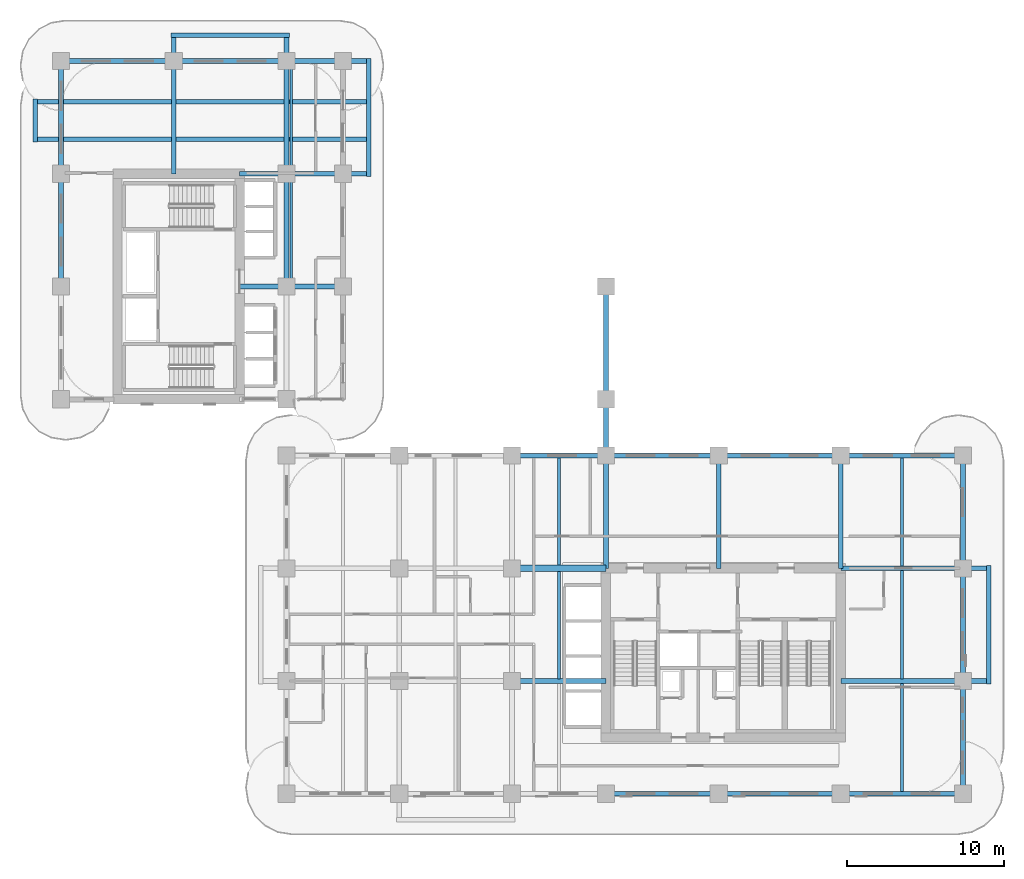
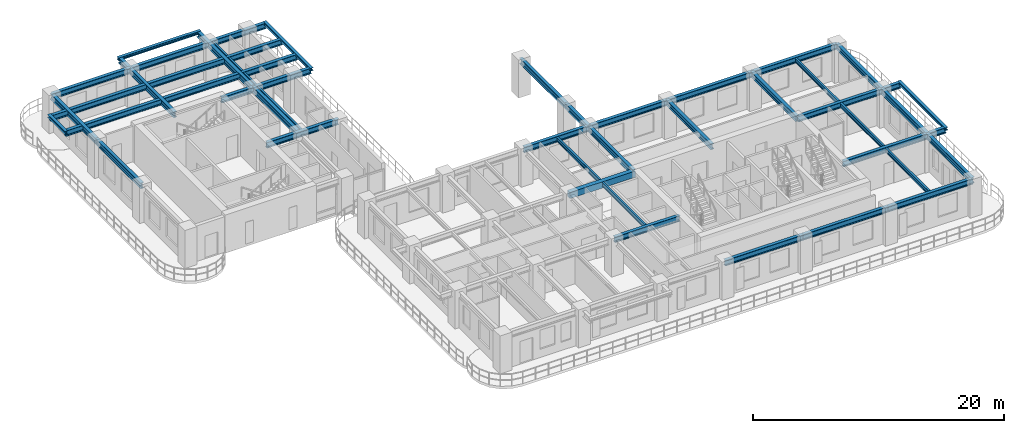
# One storey, part 3 of 19: 41 beams.
"""IFC4 building model written with IfcOpenShell, lengths in metres."""

import ifcopenshell
import ifcopenshell.guid

model = None  # the IFC model being written
_history = None  # IfcOwnerHistory: only IFC2X3 demands one
_inside = {}  # id of a spatial element -> (the spatial element, [elements in it])
_under = {}  # id of a project, library or spatial element -> (it, [spatial elements below it])
_declared = {}  # id of a project -> (the project, [libraries it declares])
_typed = {}  # id of a type object -> (the type object, [elements of that type])
_made_of = {}  # id of a material, layer set ... -> (it, [elements and type objects made of it])


def new_model(schema):
    """Start an empty IFC model of exactly this schema.

    Asked for "IFC4X3", IfcOpenShell would pick the latest addendum, in which some entities
    have other attributes; the version numbers below select the first issue.
    IFC2X3 requires an IfcOwnerHistory on every rooted entity: one is made here for all.
    """
    global model, _history
    if schema == "IFC4X3":
        model = ifcopenshell.file(schema_version=(4, 3, 0, 0))
    else:
        model = ifcopenshell.file(schema=schema)
    _inside.clear()
    _under.clear()
    _declared.clear()
    _typed.clear()
    _made_of.clear()
    _history = None
    if model.schema == "IFC2X3":
        org = make("IfcOrganization", Name="unknown")
        user = make(
            "IfcPersonAndOrganization",
            ThePerson=make("IfcPerson", FamilyName="unknown"),
            TheOrganization=org,
        )
        app = make(
            "IfcApplication",
            ApplicationDeveloper=org,
            Version="unknown",
            ApplicationFullName="unknown",
            ApplicationIdentifier="unknown",
        )
        _history = make(
            "IfcOwnerHistory",
            OwningUser=user,
            OwningApplication=app,
            ChangeAction="ADDED",
            CreationDate=0,
        )
    return model


def make(cls, **values):
    """One entity of the class cls with the attributes given. An attribute that is None is left unset."""
    return model.create_entity(
        cls, **{name: value for name, value in values.items() if value is not None}
    )


def rooted(cls, **values):
    """An entity with a GlobalId (a new one), such as an element, a storey or a relation."""
    return make(cls, GlobalId=ifcopenshell.guid.new(), OwnerHistory=_history, **values)


def si_unit(unit_type, name, prefix=None):
    """IfcSIUnit, for example si_unit("LENGTHUNIT", "METRE", prefix="MILLI")."""
    return make("IfcSIUnit", UnitType=unit_type, Prefix=prefix, Name=name)


def derived_unit(unit_type, elements):
    """IfcDerivedUnit: a product of units, each with its exponent."""
    return make(
        "IfcDerivedUnit",
        Elements=[
            make("IfcDerivedUnitElement", Unit=unit, Exponent=power)
            for unit, power in elements
        ],
        UnitType=unit_type,
    )


def assignment(units):
    """IfcUnitAssignment: the units of a project."""
    return None if units is None else make("IfcUnitAssignment", Units=units)


def point(xyz):
    """IfcCartesianPoint."""
    return None if xyz is None else make("IfcCartesianPoint", Coordinates=xyz)


def direction(xyz):
    """IfcDirection."""
    return None if xyz is None else make("IfcDirection", DirectionRatios=xyz)


def frame(location, z_axis=None, x_axis=None):
    """IfcAxis2Placement3D, a coordinate frame: its origin and axes. An axis left out is left unset."""
    return make(
        "IfcAxis2Placement3D",
        Location=point(location),
        Axis=direction(z_axis),
        RefDirection=direction(x_axis),
    )


def frame_2d(location, x_axis=None):
    """IfcAxis2Placement2D, a coordinate frame in the plane: its origin and x axis."""
    return make(
        "IfcAxis2Placement2D", Location=point(location), RefDirection=direction(x_axis)
    )


def origin():
    """The frame at (0, 0, 0) with its axes left unset."""
    return frame((0.0, 0.0, 0.0))


def origin_2d():
    """The frame at (0, 0) in the plane with its x axis left unset."""
    return frame_2d((0.0, 0.0))


def place(relative_to, where):
    """IfcLocalPlacement: puts the frame where relative to a parent placement (None: the world)."""
    return make(
        "IfcLocalPlacement", PlacementRelTo=relative_to, RelativePlacement=where
    )


def context(
    kind, dimensions, precision=None, world=None, true_north=None, identifier=None
):
    """IfcGeometricRepresentationContext, for example the 3D "Model" context."""
    return make(
        "IfcGeometricRepresentationContext",
        ContextIdentifier=identifier,
        ContextType=kind,
        CoordinateSpaceDimension=dimensions,
        Precision=precision,
        WorldCoordinateSystem=world,
        TrueNorth=true_north,
    )


def subcontext(parent, identifier, kind, view, scale=None):
    """IfcGeometricRepresentationSubContext, for example "Body" below "Model"."""
    return make(
        "IfcGeometricRepresentationSubContext",
        ContextIdentifier=identifier,
        ContextType=kind,
        ParentContext=parent,
        TargetScale=scale,
        TargetView=view,
    )


def project(units=None, contexts=None):
    """IfcProject with its units and contexts."""
    return rooted(
        "IfcProject",
        Name="project",
        RepresentationContexts=contexts,
        UnitsInContext=assignment(units),
    )


def spatial(cls, under=None, at=None, **own):
    """A site, building, storey or space (cls), placed at a placement, below another one or the project."""
    s = rooted(cls, ObjectPlacement=at, **own)
    if under is not None:
        _under.setdefault(under.id(), (under, []))[1].append(s)
    return s


def profile(cls, at=None, kind="AREA", **sizes):
    """A parametric profile (cls). Its sizes go by their IFC names, for example OverallWidth=200.0."""
    return make(cls, ProfileType=kind, Position=at, **sizes)


def rectangle(**sizes):
    """IfcRectangleProfileDef."""
    return profile("IfcRectangleProfileDef", **sizes)


def i_section(**sizes):
    """IfcIShapeProfileDef."""
    return profile("IfcIShapeProfileDef", **sizes)


def extrude(swept, where, along, depth):
    """IfcExtrudedAreaSolid: the profile swept, set in the frame where, extruded along a direction by depth."""
    return make(
        "IfcExtrudedAreaSolid",
        SweptArea=swept,
        Position=where,
        ExtrudedDirection=direction(along),
        Depth=depth,
    )


def shape(context_of_items, identifier, shape_type, items):
    """IfcShapeRepresentation: the items that make up one representation, for example the "Body"."""
    return make(
        "IfcShapeRepresentation",
        ContextOfItems=context_of_items,
        RepresentationIdentifier=identifier,
        RepresentationType=shape_type,
        Items=items,
    )


def source(mapping_origin, context_of_items, identifier, shape_type, items):
    """IfcRepresentationMap: a shape defined once, which mapped items show again and again."""
    return make(
        "IfcRepresentationMap",
        MappingOrigin=mapping_origin,
        MappedRepresentation=shape(context_of_items, identifier, shape_type, items),
    )


def transform(
    local_origin,
    x_axis=None,
    y_axis=None,
    z_axis=None,
    scale=None,
    scale2=None,
    scale3=None,
    uniform=True,
):
    """IfcCartesianTransformationOperator3D, or its non-uniform kind. x_axis, y_axis, z_axis: its Axis1, 2, 3."""
    if uniform:
        return make(
            "IfcCartesianTransformationOperator3D",
            Axis1=direction(x_axis),
            Axis2=direction(y_axis),
            LocalOrigin=point(local_origin),
            Scale=scale,
            Axis3=direction(z_axis),
        )
    return make(
        "IfcCartesianTransformationOperator3DnonUniform",
        Axis1=direction(x_axis),
        Axis2=direction(y_axis),
        LocalOrigin=point(local_origin),
        Scale=scale,
        Axis3=direction(z_axis),
        Scale2=scale2,
        Scale3=scale3,
    )


def mapped(mapping_source, mapping_target):
    """IfcMappedItem: shows the shape of a source again, moved by a transform."""
    return make(
        "IfcMappedItem", MappingSource=mapping_source, MappingTarget=mapping_target
    )


def material(Name=None, Category=None):
    """IfcMaterial."""
    return make("IfcMaterial", Name=Name, Category=Category)


def material_profile(
    of_material, cross_section, Name=None, Category=None, Priority=None
):
    """IfcMaterialProfile: a cross section and its material."""
    return make(
        "IfcMaterialProfile",
        Name=Name,
        Material=of_material,
        Profile=cross_section,
        Priority=Priority,
        Category=Category,
    )


def profile_set(profiles, Name=None, composite=None):
    """IfcMaterialProfileSet."""
    return make(
        "IfcMaterialProfileSet",
        Name=Name,
        MaterialProfiles=profiles,
        CompositeProfile=composite,
    )


def made_of(thing, what):
    """Note that an element or type object is made of a material, layer set ...; save() writes the relation."""
    if what is not None:
        _made_of.setdefault(what.id(), (what, []))[1].append(thing)
    return thing


def type_object(cls, material=None, **own):
    """A type object (cls), such as IfcWallType, which elements share."""
    return made_of(rooted(cls, **own), material)


def type_shapes(of_type, sources):
    """Give a type object the sources (RepresentationMaps) that its elements show as mapped items."""
    of_type.RepresentationMaps = sources


def element(
    cls,
    number,
    at=None,
    inside=None,
    cuts=None,
    type_object=None,
    material=None,
    context=None,
    identifier="Body",
    shape_type=None,
    held_by="IfcProductDefinitionShape",
    body=None,
    shapes=None,
    **own,
):
    """One element of the class cls, such as IfcWall. Its Tag is "e" and its number.

    at: its placement. inside: the storey or other place that contains it. cuts: it is an
    opening in that element (IfcRelVoidsElement). A single representation is given by context,
    identifier, shape_type and body (its items); several are given by shapes. held_by: the class
    of the entity that holds the representations. save() writes the other relations.
    """
    e = rooted(cls, Tag="e%d" % number, ObjectPlacement=at, **own)
    if body is not None:
        shapes = [shape(context, identifier, shape_type, body)]
    if shapes is not None:
        e.Representation = make(held_by, Representations=shapes)
    if inside is not None:
        _inside.setdefault(inside.id(), (inside, []))[1].append(e)
    if cuts is not None:
        rooted(
            "IfcRelVoidsElement", RelatingBuildingElement=cuts, RelatedOpeningElement=e
        )
    if type_object is not None:
        _typed.setdefault(type_object.id(), (type_object, []))[1].append(e)
    return made_of(e, material)


def aggregate(whole, parts):
    """IfcRelAggregates: a whole, such as a stair, and the parts it consists of."""
    return rooted("IfcRelAggregates", RelatingObject=whole, RelatedObjects=parts)


def save(model, path):
    """Write the relations noted so far, then the file.

    IfcRelAggregates (storeys below a building ...), IfcRelContainedInSpatialStructure (elements
    in a storey), IfcRelDefinesByType, IfcRelAssociatesMaterial and IfcRelDeclares: one each for
    every whole, place, type object, material and project.
    """
    for whole, parts in _under.values():
        aggregate(whole, parts)
    for where, things in _inside.values():
        rooted(
            "IfcRelContainedInSpatialStructure",
            RelatedElements=things,
            RelatingStructure=where,
        )
    for kind, things in _typed.values():
        rooted("IfcRelDefinesByType", RelatedObjects=things, RelatingType=kind)
    for what, things in _made_of.values():
        rooted("IfcRelAssociatesMaterial", RelatedObjects=things, RelatingMaterial=what)
    for by, libraries in _declared.values():
        rooted("IfcRelDeclares", RelatingContext=by, RelatedDefinitions=libraries)
    model.write(path)


model = new_model("IFC4")

# Units and contexts
model_context = context("Model", 3, precision=1e-05, world=origin(), true_north=direction((0.0, 1.0)))
body_context = subcontext(model_context, "Body", "Model", "MODEL_VIEW")
ifc_project = project(units=[si_unit("LENGTHUNIT", "METRE"), si_unit("AREAUNIT", "SQUARE_METRE"), si_unit("VOLUMEUNIT", "CUBIC_METRE"), si_unit("PLANEANGLEUNIT", "RADIAN"), si_unit("MASSUNIT", "GRAM", prefix="KILO"), si_unit("THERMODYNAMICTEMPERATUREUNIT", "KELVIN"), si_unit("POWERUNIT", "WATT"), derived_unit("THERMALTRANSMITTANCEUNIT", [(si_unit("POWERUNIT", "WATT"), 1), (si_unit("AREAUNIT", "SQUARE_METRE"), -1), (si_unit("THERMODYNAMICTEMPERATUREUNIT", "KELVIN"), -1)])], contexts=[model_context])

# Site, building, storey
site_placement = place(None, origin())
site = spatial("IfcSite", under=ifc_project, at=site_placement, CompositionType="ELEMENT")
building_placement = place(site_placement, origin())
building = spatial("IfcBuilding", under=site, at=building_placement, Name="Zahravan Archway Hotel and Residences", CompositionType="ELEMENT")
storey_placement = place(building_placement, frame((0.0, 0.0, 62.0)))
storey = spatial("IfcBuildingStorey", under=building, at=storey_placement, Name="L14", CompositionType="ELEMENT", Elevation=62.0)

# Beams
ifc_material_1 = material(Name="Structural Steel S355JR", Category="steel")
ifc_material_profile_1 = material_profile(ifc_material_1, i_section(OverallWidth=0.280029296875, OverallDepth=0.280029296875, WebThickness=0.010498046875, FlangeThickness=0.01806640625, FilletRadius=0.02392578125, at=origin_2d()), Name="HEB 280", Category="steel")
ifc_profile_set_1 = profile_set([ifc_material_profile_1], Name="Structural Steel S355JR")
beam_type_1 = type_object("IfcBeamType", Name="BM-SPN-HEB280", PredefinedType="SPANDREL", material=ifc_profile_set_1)
shared_shape_1 = source(origin(), body_context, "Body", "SweptSolid", [
    extrude(i_section(OverallWidth=0.280029296875, OverallDepth=0.280029296875, WebThickness=0.010498046875, FlangeThickness=0.01806640625, FilletRadius=0.02392578125, at=origin_2d()), origin(), (0.0, 0.0, 1.0), 7.56005859375),
])
type_shapes(beam_type_1, [shared_shape_1])
for number, where, z_axis, x_axis, name in (
    (1, (59.25, 7.02001953125, 3.31005859375), (0.0, 1.0, 0.0), (-1.0, 0.0, 0.0), "L15 EA Balcony Edge Spandrel"),
    (2, (19.64990234375, 39.419921875, 3.31005859375), (0.0, 1.0, 0.0), (-1.0, 0.0, 0.0), "L15 EB Balcony Edge Spandrel"),
    (3, (7.02001953125, 48.449951171875, 3.31005859375), (1.0, 0.0, 0.0), (0.0, 1.0, 0.0), "L15 NB Balcony Edge Spandrel"),
):
    element("IfcBeam", number, at=place(storey_placement, frame(where, z_axis=z_axis, x_axis=x_axis)), inside=storey, type_object=beam_type_1, Name=name, PredefinedType="SPANDREL", context=body_context, shape_type="MappedRepresentation", body=[
        mapped(shared_shape_1, transform((0.0, 0.0, 0.0), scale=1.0)),
    ])
shared_shape_2 = source(origin(), body_context, "Body", "SweptSolid", [
    extrude(i_section(OverallWidth=0.280029296875, OverallDepth=0.280029296875, WebThickness=0.010498046875, FlangeThickness=0.01806640625, FilletRadius=0.02392578125, at=origin_2d()), origin(), (0.0, 0.0, 1.0), 2.759765625),
])
beam_1_placement = place(storey_placement, frame((-1.64990234375, 41.6201171875, 3.31005859375), z_axis=(0.0, 1.0, 0.0), x_axis=(-1.0, 0.0, 0.0)))
element("IfcBeam", 4, at=beam_1_placement, inside=storey, type_object=beam_type_1, Name="L15 WB Balcony Edge Spandrel", PredefinedType="SPANDREL", context=body_context, shape_type="MappedRepresentation", body=[
    mapped(shared_shape_2, transform((0.0, 0.0, 0.0), scale=1.0)),
])
ifc_material_2 = material(Name="Concrete C60/75", Category="concrete")
ifc_material_profile_2 = material_profile(ifc_material_2, rectangle(XDim=0.39990234375, YDim=0.60009765625, at=origin_2d()), Name="RC-LNT-400x600", Category="concrete")
ifc_profile_set_2 = profile_set([ifc_material_profile_2], Name="Concrete C60/75")
beam_type_2 = type_object("IfcBeamType", Name="LNT-RC-400x600", PredefinedType="LINTEL", material=ifc_profile_set_2)
shared_shape_3 = source(origin(), body_context, "Body", "SweptSolid", [
    extrude(rectangle(XDim=0.39990234375, YDim=0.60009765625, at=origin_2d()), origin(), (0.0, 0.0, 1.0), 6.0),
])
type_shapes(beam_type_2, [shared_shape_3])
beam_2_placement = place(storey_placement, frame((28.800048828125, 14.39990234375, 3.14990234375), z_axis=(1.0, 0.0, 0.0), x_axis=(0.0, 1.0, 0.0)))
element("IfcBeam", 5, at=beam_2_placement, inside=storey, type_object=beam_type_2, Name="L14 Core A Coupling Lintel Beam", PredefinedType="LINTEL", context=body_context, shape_type="MappedRepresentation", body=[
    mapped(shared_shape_3, transform((0.0, 0.0, 0.0), scale=1.0)),
])
ifc_material_profile_3 = material_profile(ifc_material_1, i_section(OverallWidth=0.300048828125, OverallDepth=0.550048828125, WebThickness=0.014892578125, FlangeThickness=0.029052734375, FilletRadius=0.027099609375, at=origin_2d()), Name="HEB 550", Category="steel")
ifc_profile_set_3 = profile_set([ifc_material_profile_3], Name="Structural Steel S355JR")
beam_type_3 = type_object("IfcBeamType", Name="BM-PRI-HEB550", PredefinedType="BEAM", material=ifc_profile_set_3)
shared_shape_4 = source(origin(), body_context, "Body", "SweptSolid", [
    extrude(i_section(OverallWidth=0.300048828125, OverallDepth=0.550048828125, WebThickness=0.014892578125, FlangeThickness=0.029052734375, FilletRadius=0.027099609375, at=origin_2d()), origin(), (0.0, 0.0, 1.0), 7.2001953125),
])
type_shapes(beam_type_3, [shared_shape_4])
for number, where, z_axis, x_axis, name in (
    (6, (0.0, 32.39990234375, 3.175048828125), (0.0, 1.0, 0.0), (-1.0, 0.0, 0.0), "L14 Primary Girder NS-28"),
    (7, (14.39990234375, 32.39990234375, 3.175048828125), (0.0, 1.0, 0.0), (-1.0, 0.0, 0.0), "L14 Primary Girder NS-35"),
    (8, (34.800048828125, 14.39990234375, 3.175048828125), (0.0, 1.0, 0.0), (-1.0, 0.0, 0.0), "L14 Primary Girder NS-43"),
    (9, (42.0, 14.39990234375, 3.175048828125), (0.0, 1.0, 0.0), (-1.0, 0.0, 0.0), "L14 Primary Girder NS-46"),
    (10, (49.800048828125, 14.39990234375, 3.175048828125), (0.0, 1.0, 0.0), (-1.0, 0.0, 0.0), "L14 Primary Girder NS-47"),
    (11, (57.60009765625, 14.39990234375, 3.175048828125), (0.0, 1.0, 0.0), (-1.0, 0.0, 0.0), "L14 Primary Girder NS-50"),
):
    element("IfcBeam", number, at=place(storey_placement, frame(where, z_axis=z_axis, x_axis=x_axis)), inside=storey, type_object=beam_type_3, Name=name, PredefinedType="BEAM", context=body_context, shape_type="MappedRepresentation", body=[
        mapped(shared_shape_4, transform((0.0, 0.0, 0.0), scale=1.0)),
    ])
shared_shape_5 = source(origin(), body_context, "Body", "SweptSolid", [
    extrude(i_section(OverallWidth=0.300048828125, OverallDepth=0.550048828125, WebThickness=0.014892578125, FlangeThickness=0.029052734375, FilletRadius=0.027099609375, at=origin_2d()), origin(), (0.0, 0.0, 1.0), 7.199951171875),
])
for number, where, z_axis, x_axis, name in (
    (12, (34.800048828125, 0.0, 3.175048828125), (1.0, 0.0, 0.0), (0.0, 1.0, 0.0), "L14 Primary Girder EW-04"),
    (13, (34.800048828125, 21.60009765625, 3.175048828125), (1.0, 0.0, 0.0), (0.0, 1.0, 0.0), "L14 Primary Girder EW-17"),
    (14, (0.0, 46.800048828125, 3.175048828125), (1.0, 0.0, 0.0), (0.0, 1.0, 0.0), "L14 Primary Girder EW-23"),
    (15, (0.0, 39.60009765625, 3.175048828125), (0.0, 1.0, 0.0), (-1.0, 0.0, 0.0), "L14 Primary Girder NS-29"),
    (16, (34.800048828125, 25.199951171875, 3.175048828125), (0.0, 1.0, 0.0), (-1.0, 0.0, 0.0), "L14 Primary Girder NS-45"),
    (17, (57.60009765625, 0.0, 3.175048828125), (0.0, 1.0, 0.0), (-1.0, 0.0, 0.0), "L14 Primary Girder NS-48"),
    (18, (57.60009765625, 7.199951171875, 3.175048828125), (0.0, 1.0, 0.0), (-1.0, 0.0, 0.0), "L14 Primary Girder NS-49"),
):
    element("IfcBeam", number, at=place(storey_placement, frame(where, z_axis=z_axis, x_axis=x_axis)), inside=storey, type_object=beam_type_3, Name=name, PredefinedType="BEAM", context=body_context, shape_type="MappedRepresentation", body=[
        mapped(shared_shape_5, transform((0.0, 0.0, 0.0), scale=1.0)),
    ])
shared_shape_6 = source(origin(), body_context, "Body", "SweptSolid", [
    extrude(i_section(OverallWidth=0.300048828125, OverallDepth=0.550048828125, WebThickness=0.014892578125, FlangeThickness=0.029052734375, FilletRadius=0.027099609375, at=origin_2d()), origin(), (0.0, 0.0, 1.0), 6.0),
])
for number, where, z_axis, x_axis, name in (
    (19, (28.800048828125, 7.199951171875, 3.175048828125), (1.0, 0.0, 0.0), (0.0, 1.0, 0.0), "L14 Primary Girder EW-09"),
    (20, (28.800048828125, 21.60009765625, 3.175048828125), (1.0, 0.0, 0.0), (0.0, 1.0, 0.0), "L14 Primary Girder EW-16"),
):
    element("IfcBeam", number, at=place(storey_placement, frame(where, z_axis=z_axis, x_axis=x_axis)), inside=storey, type_object=beam_type_3, Name=name, PredefinedType="BEAM", context=body_context, shape_type="MappedRepresentation", body=[
        mapped(shared_shape_6, transform((0.0, 0.0, 0.0), scale=1.0)),
    ])
shared_shape_7 = source(origin(), body_context, "Body", "SweptSolid", [
    extrude(i_section(OverallWidth=0.300048828125, OverallDepth=0.550048828125, WebThickness=0.014892578125, FlangeThickness=0.029052734375, FilletRadius=0.027099609375, at=origin_2d()), origin(), (0.0, 0.0, 1.0), 7.800048828125),
])
for number, where, z_axis, x_axis, name in (
    (21, (42.0, 0.0, 3.175048828125), (1.0, 0.0, 0.0), (0.0, 1.0, 0.0), "L14 Primary Girder EW-05"),
    (22, (49.800048828125, 0.0, 3.175048828125), (1.0, 0.0, 0.0), (0.0, 1.0, 0.0), "L14 Primary Girder EW-06"),
    (23, (42.0, 21.60009765625, 3.175048828125), (1.0, 0.0, 0.0), (0.0, 1.0, 0.0), "L14 Primary Girder EW-18"),
    (24, (49.800048828125, 21.60009765625, 3.175048828125), (1.0, 0.0, 0.0), (0.0, 1.0, 0.0), "L14 Primary Girder EW-19"),
):
    element("IfcBeam", number, at=place(storey_placement, frame(where, z_axis=z_axis, x_axis=x_axis)), inside=storey, type_object=beam_type_3, Name=name, PredefinedType="BEAM", context=body_context, shape_type="MappedRepresentation", body=[
        mapped(shared_shape_7, transform((0.0, 0.0, 0.0), scale=1.0)),
    ])
shared_shape_8 = source(origin(), body_context, "Body", "SweptSolid", [
    extrude(i_section(OverallWidth=0.300048828125, OverallDepth=0.550048828125, WebThickness=0.014892578125, FlangeThickness=0.029052734375, FilletRadius=0.027099609375, at=origin_2d()), origin(), (0.0, 0.0, 1.0), 9.449951171875),
])
for number, where, z_axis, x_axis, name in (
    (25, (49.800048828125, 7.199951171875, 3.175048828125), (1.0, 0.0, 0.0), (0.0, 1.0, 0.0), "L14 Primary Girder EW-10"),
    (26, (49.800048828125, 14.39990234375, 3.175048828125), (1.0, 0.0, 0.0), (0.0, 1.0, 0.0), "L14 Primary Girder EW-13"),
):
    element("IfcBeam", number, at=place(storey_placement, frame(where, z_axis=z_axis, x_axis=x_axis)), inside=storey, type_object=beam_type_3, Name=name, PredefinedType="BEAM", context=body_context, shape_type="MappedRepresentation", body=[
        mapped(shared_shape_8, transform((0.0, 0.0, 0.0), scale=1.0)),
    ])
shared_shape_9 = source(origin(), body_context, "Body", "SweptSolid", [
    extrude(i_section(OverallWidth=0.300048828125, OverallDepth=0.550048828125, WebThickness=0.014892578125, FlangeThickness=0.029052734375, FilletRadius=0.027099609375, at=origin_2d()), origin(), (0.0, 0.0, 1.0), 6.60009765625),
])
beam_3_placement = place(storey_placement, frame((11.39990234375, 32.39990234375, 3.175048828125), z_axis=(1.0, 0.0, 0.0), x_axis=(0.0, 1.0, 0.0)))
element("IfcBeam", 27, at=beam_3_placement, inside=storey, type_object=beam_type_3, Name="L14 Primary Girder EW-21", PredefinedType="BEAM", context=body_context, shape_type="MappedRepresentation", body=[
    mapped(shared_shape_9, transform((0.0, 0.0, 0.0), scale=1.0)),
])
shared_shape_10 = source(origin(), body_context, "Body", "SweptSolid", [
    extrude(i_section(OverallWidth=0.300048828125, OverallDepth=0.550048828125, WebThickness=0.014892578125, FlangeThickness=0.029052734375, FilletRadius=0.027099609375, at=origin_2d()), origin(), (0.0, 0.0, 1.0), 8.25),
])
beam_4_placement = place(storey_placement, frame((11.39990234375, 39.60009765625, 3.175048828125), z_axis=(1.0, 0.0, 0.0), x_axis=(0.0, 1.0, 0.0)))
element("IfcBeam", 28, at=beam_4_placement, inside=storey, type_object=beam_type_3, Name="L14 Primary Girder EW-22", PredefinedType="BEAM", context=body_context, shape_type="MappedRepresentation", body=[
    mapped(shared_shape_10, transform((0.0, 0.0, 0.0), scale=1.0)),
])
shared_shape_11 = source(origin(), body_context, "Body", "SweptSolid", [
    extrude(i_section(OverallWidth=0.300048828125, OverallDepth=0.550048828125, WebThickness=0.014892578125, FlangeThickness=0.029052734375, FilletRadius=0.027099609375, at=origin_2d()), origin(), (0.0, 0.0, 1.0), 12.449951171875),
])
beam_5_placement = place(storey_placement, frame((7.199951171875, 46.800048828125, 3.175048828125), z_axis=(1.0, 0.0, 0.0), x_axis=(0.0, 1.0, 0.0)))
element("IfcBeam", 29, at=beam_5_placement, inside=storey, type_object=beam_type_3, Name="L14 Primary Girder EW-24", PredefinedType="BEAM", context=body_context, shape_type="MappedRepresentation", body=[
    mapped(shared_shape_11, transform((0.0, 0.0, 0.0), scale=1.0)),
])
shared_shape_12 = source(origin(), body_context, "Body", "SweptSolid", [
    extrude(i_section(OverallWidth=0.300048828125, OverallDepth=0.550048828125, WebThickness=0.014892578125, FlangeThickness=0.029052734375, FilletRadius=0.027099609375, at=origin_2d()), origin(), (0.0, 0.0, 1.0), 21.2998046875),
])
for number, where, z_axis, x_axis, name in (
    (30, (-1.64990234375, 41.800048828125, 3.175048828125), (1.0, 0.0, 0.0), (0.0, 1.0, 0.0), "L14 Primary Girder EW-25"),
    (31, (-1.64990234375, 44.199951171875, 3.175048828125), (1.0, 0.0, 0.0), (0.0, 1.0, 0.0), "L14 Primary Girder EW-26"),
):
    element("IfcBeam", number, at=place(storey_placement, frame(where, z_axis=z_axis, x_axis=x_axis)), inside=storey, type_object=beam_type_3, Name=name, PredefinedType="BEAM", context=body_context, shape_type="MappedRepresentation", body=[
        mapped(shared_shape_12, transform((0.0, 0.0, 0.0), scale=1.0)),
    ])
shared_shape_13 = source(origin(), body_context, "Body", "SweptSolid", [
    extrude(i_section(OverallWidth=0.300048828125, OverallDepth=0.550048828125, WebThickness=0.014892578125, FlangeThickness=0.029052734375, FilletRadius=0.027099609375, at=origin_2d()), origin(), (0.0, 0.0, 1.0), 8.849853515625),
])
for number, where, z_axis, x_axis, name in (
    (32, (7.199951171875, 39.60009765625, 3.175048828125), (0.0, 1.0, 0.0), (-1.0, 0.0, 0.0), "L14 Primary Girder NS-30"),
    (33, (14.39990234375, 39.60009765625, 3.175048828125), (0.0, 1.0, 0.0), (-1.0, 0.0, 0.0), "L14 Primary Girder NS-36"),
):
    element("IfcBeam", number, at=place(storey_placement, frame(where, z_axis=z_axis, x_axis=x_axis)), inside=storey, type_object=beam_type_3, Name=name, PredefinedType="BEAM", context=body_context, shape_type="MappedRepresentation", body=[
        mapped(shared_shape_13, transform((0.0, 0.0, 0.0), scale=1.0)),
    ])
shared_shape_14 = source(origin(), body_context, "Body", "SweptSolid", [
    extrude(i_section(OverallWidth=0.300048828125, OverallDepth=0.550048828125, WebThickness=0.014892578125, FlangeThickness=0.029052734375, FilletRadius=0.027099609375, at=origin_2d()), origin(), (0.0, 0.0, 1.0), 3.599853515625),
])
beam_6_placement = place(storey_placement, frame((34.800048828125, 21.60009765625, 3.175048828125), z_axis=(0.0, 1.0, 0.0), x_axis=(-1.0, 0.0, 0.0)))
element("IfcBeam", 34, at=beam_6_placement, inside=storey, type_object=beam_type_3, Name="L14 Primary Girder NS-44", PredefinedType="BEAM", context=body_context, shape_type="MappedRepresentation", body=[
    mapped(shared_shape_14, transform((0.0, 0.0, 0.0), scale=1.0)),
])
ifc_material_profile_4 = material_profile(ifc_material_1, i_section(OverallWidth=0.179931640625, OverallDepth=0.39990234375, WebThickness=0.008544921875, FlangeThickness=0.013427734375, FilletRadius=0.02099609375, at=origin_2d()), Name="IPE 400", Category="steel")
ifc_profile_set_4 = profile_set([ifc_material_profile_4], Name="Structural Steel S355JR")
beam_type_4 = type_object("IfcBeamType", Name="BM-JST-IPE400", PredefinedType="JOIST", material=ifc_profile_set_4)
shared_shape_15 = source(origin(), body_context, "Body", "SweptSolid", [
    extrude(i_section(OverallWidth=0.179931640625, OverallDepth=0.39990234375, WebThickness=0.008544921875, FlangeThickness=0.013427734375, FilletRadius=0.02099609375, at=origin_2d()), origin(), (0.0, 0.0, 1.0), 6.904052734375),
])
type_shapes(beam_type_4, [shared_shape_15])
for number, where, z_axis, x_axis, name in (
    (35, (53.699951171875, 0.14794921875, 3.25), (0.0, 1.0, 0.0), (-1.0, 0.0, 0.0), "L14 Composite Floor Joist 04"),
    (36, (53.699951171875, 7.347900390625, 3.25), (0.0, 1.0, 0.0), (-1.0, 0.0, 0.0), "L14 Composite Floor Joist 08"),
    (37, (14.699951171875, 39.748046875, 3.25), (0.0, 1.0, 0.0), (-1.0, 0.0, 0.0), "L14 Composite Floor Joist 14"),
):
    element("IfcBeam", number, at=place(storey_placement, frame(where, z_axis=z_axis, x_axis=x_axis)), inside=storey, type_object=beam_type_4, Name=name, PredefinedType="JOIST", context=body_context, shape_type="MappedRepresentation", body=[
        mapped(shared_shape_15, transform((0.0, 0.0, 0.0), scale=1.0)),
    ])
shared_shape_16 = source(origin(), body_context, "Body", "SweptSolid", [
    extrude(i_section(OverallWidth=0.179931640625, OverallDepth=0.39990234375, WebThickness=0.008544921875, FlangeThickness=0.013427734375, FilletRadius=0.02099609375, at=origin_2d()), origin(), (0.0, 0.0, 1.0), 6.85400390625),
])
for number, where, z_axis, x_axis, name in (
    (38, (31.800048828125, 7.347900390625, 3.25), (0.0, 1.0, 0.0), (-1.0, 0.0, 0.0), "L14 Composite Floor Joist 07"),
    (39, (31.800048828125, 14.597900390625, 3.25), (0.0, 1.0, 0.0), (-1.0, 0.0, 0.0), "L14 Composite Floor Joist 09"),
):
    element("IfcBeam", number, at=place(storey_placement, frame(where, z_axis=z_axis, x_axis=x_axis)), inside=storey, type_object=beam_type_4, Name=name, PredefinedType="JOIST", context=body_context, shape_type="MappedRepresentation", body=[
        mapped(shared_shape_16, transform((0.0, 0.0, 0.0), scale=1.0)),
    ])
shared_shape_17 = source(origin(), body_context, "Body", "SweptSolid", [
    extrude(i_section(OverallWidth=0.179931640625, OverallDepth=0.39990234375, WebThickness=0.008544921875, FlangeThickness=0.013427734375, FilletRadius=0.02099609375, at=origin_2d()), origin(), (0.0, 0.0, 1.0), 6.90380859375),
])
for number, where, z_axis, x_axis, name in (
    (40, (53.699951171875, 14.548095703125, 3.25), (0.0, 1.0, 0.0), (-1.0, 0.0, 0.0), "L14 Composite Floor Joist 12"),
    (41, (14.699951171875, 32.548095703125, 3.25), (0.0, 1.0, 0.0), (-1.0, 0.0, 0.0), "L14 Composite Floor Joist 13"),
):
    element("IfcBeam", number, at=place(storey_placement, frame(where, z_axis=z_axis, x_axis=x_axis)), inside=storey, type_object=beam_type_4, Name=name, PredefinedType="JOIST", context=body_context, shape_type="MappedRepresentation", body=[
        mapped(shared_shape_17, transform((0.0, 0.0, 0.0), scale=1.0)),
    ])

save(model, "model.ifc")
